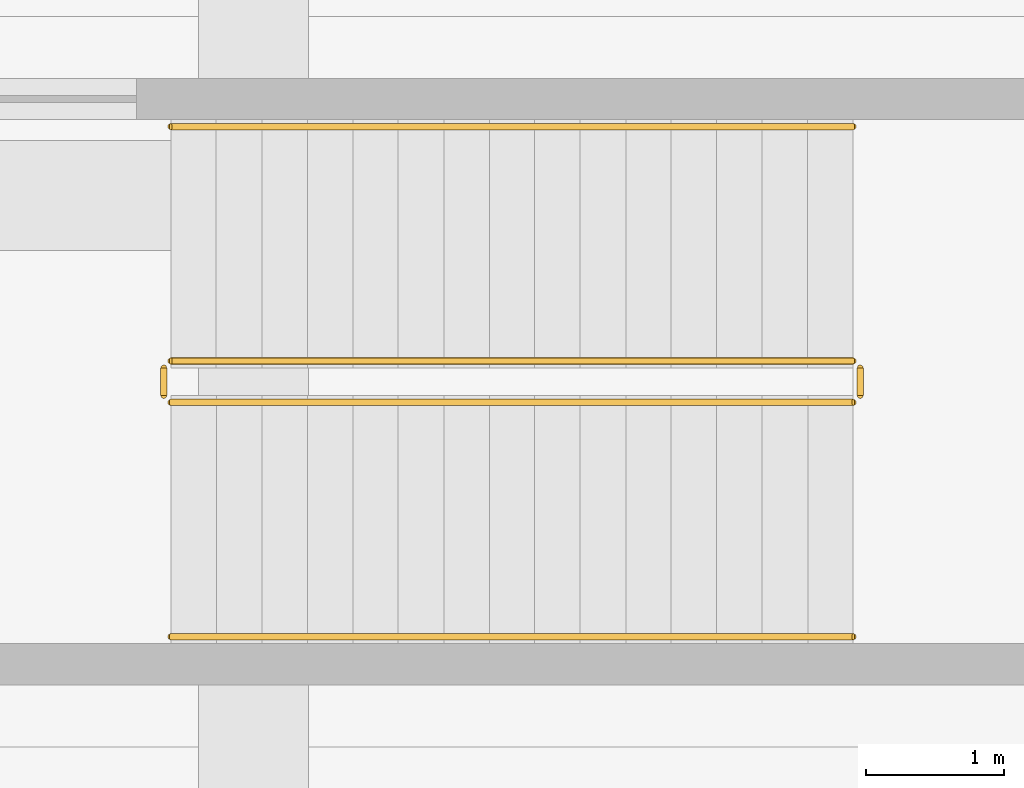
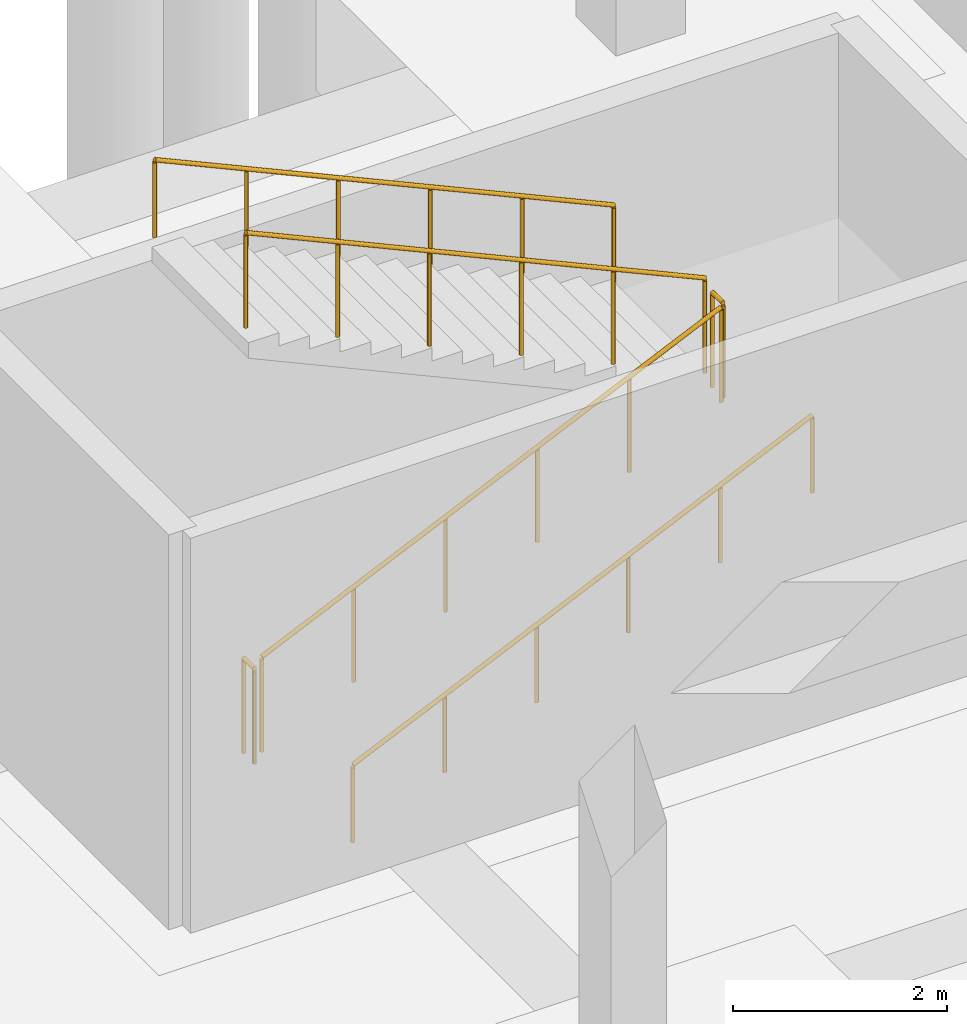
# One storey, part 76 of 80: 6 railings.
"""IFC4 building model written with IfcOpenShell, lengths in metres."""

from ifc_helpers import new_model, si_unit, direction, frame, origin, origin_2d, place, context, subcontext, project, spatial, circle, extrude, material, layer, layer_set, type_object, element, save


model = new_model("IFC4")

# Units and contexts
model_context = context("Model", 3, precision=1e-05, world=origin(), true_north=direction((0.0, 1.0)))
body_context = subcontext(model_context, "Body", "Model", "MODEL_VIEW")
ifc_project = project(units=[si_unit("LENGTHUNIT", "METRE"), si_unit("AREAUNIT", "SQUARE_METRE"), si_unit("VOLUMEUNIT", "CUBIC_METRE"), si_unit("PLANEANGLEUNIT", "RADIAN"), si_unit("MASSUNIT", "GRAM", prefix="KILO")], contexts=[model_context])

# Site, building, storey
site_placement = place(None, origin())
site = spatial("IfcSite", under=ifc_project, at=site_placement, CompositionType="ELEMENT")
building_placement = place(site_placement, origin())
building = spatial("IfcBuilding", under=site, at=building_placement, Name="Malvenik Polytechnic", CompositionType="ELEMENT")
storey_placement = place(building_placement, frame((0.0, 0.0, -4.800048828125)))
storey = spatial("IfcBuildingStorey", under=building, at=storey_placement, Name="B1", CompositionType="ELEMENT", Elevation=-4.800048828125)

# Railings
ifc_material_1 = material(Name="Painted galvanised steel stair well balustrade 1100mm", Category="steel")
ifc_layer_1 = layer(ifc_material_1, 0.050048828125)
ifc_layer_set_1 = layer_set([ifc_layer_1], Name="Painted galvanised steel stair well balustrade 1100mm")
railing_type_1 = type_object("IfcRailingType", Name="ARC-RL-STGD", PredefinedType="BALUSTRADE", material=ifc_layer_set_1)
railing_1_placement = place(storey_placement, frame((75.0, 84.89990234375, 0.150146484375)))
element("IfcRailing", 1, at=railing_1_placement, inside=storey, type_object=railing_type_1, Name="B1 ST-05 stair guard 1", PredefinedType="BALUSTRADE", context=body_context, shape_type="SweptSolid", body=[
    extrude(circle(Radius=0.02392578125, at=origin_2d()), frame((0.0, 0.0, 1.076171875), z_axis=(0.910364939756, 0.0, 0.41380632724), x_axis=(0.0, 1.0, 0.0)), (0.0, 0.0, 1.0), 5.437255859375),
    extrude(circle(Radius=0.02099609375, at=origin_2d()), origin(), (0.0, 0.0, 1.0), 1.052001953125),
    extrude(circle(Radius=0.02099609375, at=origin_2d()), frame((0.989990234375, 0.0, 0.449951171875)), (0.0, 0.0, 1.0), 1.052001953125),
    extrude(circle(Radius=0.02099609375, at=origin_2d()), frame((1.97998046875, 0.0, 0.89990234375)), (0.0, 0.0, 1.0), 1.052001953125),
    extrude(circle(Radius=0.02099609375, at=origin_2d()), frame((2.969970703125, 0.0, 1.35009765625)), (0.0, 0.0, 1.0), 1.052001953125),
    extrude(circle(Radius=0.02099609375, at=origin_2d()), frame((3.9599609375, 0.0, 1.800048828125)), (0.0, 0.0, 1.0), 1.052001953125),
    extrude(circle(Radius=0.02099609375, at=origin_2d()), frame((4.949951171875, 0.0, 2.25)), (0.0, 0.0, 1.0), 1.052001953125),
])
railing_2_placement = place(storey_placement, frame((80.0, 84.949951171875, 2.400146484375)))
element("IfcRailing", 2, at=railing_2_placement, inside=storey, type_object=railing_type_1, Name="B1 ST-05 stair guard 2", PredefinedType="BALUSTRADE", context=body_context, shape_type="SweptSolid", body=[
    extrude(circle(Radius=0.02392578125, at=origin_2d()), frame((0.0, 0.0, 1.076171875), z_axis=(0.0, 1.0, 0.0), x_axis=(-1.0, 0.0, 0.0)), (0.0, 0.0, 1.0), 0.199951171875),
    extrude(circle(Radius=0.02099609375, at=origin_2d()), origin(), (0.0, 0.0, 1.0), 1.052001953125),
    extrude(circle(Radius=0.02099609375, at=origin_2d()), frame((0.0, 0.199951171875, 0.0)), (0.0, 0.0, 1.0), 1.052001953125),
])
railing_3_placement = place(storey_placement, frame((79.949951171875, 85.199951171875, 2.550048828125)))
element("IfcRailing", 3, at=railing_3_placement, inside=storey, type_object=railing_type_1, Name="B1 ST-05 stair guard 3", PredefinedType="BALUSTRADE", context=body_context, shape_type="SweptSolid", body=[
    extrude(circle(Radius=0.02392578125, at=origin_2d()), frame((0.0, 0.0, 1.076171875), z_axis=(-0.910364939756, 0.0, 0.41380632724), x_axis=(0.0, -1.0, 0.0)), (0.0, 0.0, 1.0), 5.437255859375),
    extrude(circle(Radius=0.02099609375, at=origin_2d()), origin(), (0.0, 0.0, 1.0), 1.052001953125),
    extrude(circle(Radius=0.02099609375, at=origin_2d()), frame((-0.989990234375, 0.0, 0.449951171875)), (0.0, 0.0, 1.0), 1.052001953125),
    extrude(circle(Radius=0.02099609375, at=origin_2d()), frame((-1.97998046875, 0.0, 0.89990234375)), (0.0, 0.0, 1.0), 1.052001953125),
    extrude(circle(Radius=0.02099609375, at=origin_2d()), frame((-2.969970703125, 0.0, 1.35009765625)), (0.0, 0.0, 1.0), 1.052001953125),
    extrude(circle(Radius=0.02099609375, at=origin_2d()), frame((-3.9599609375, 0.0, 1.800048828125)), (0.0, 0.0, 1.0), 1.052001953125),
    extrude(circle(Radius=0.02099609375, at=origin_2d()), frame((-4.949951171875, 0.0, 2.25)), (0.0, 0.0, 1.0), 1.052001953125),
])
railing_4_placement = place(storey_placement, frame((74.949951171875, 84.949951171875, 0.0)))
element("IfcRailing", 4, at=railing_4_placement, inside=storey, type_object=railing_type_1, Name="B1 ST-05 stair guard 4", PredefinedType="BALUSTRADE", context=body_context, shape_type="SweptSolid", body=[
    extrude(circle(Radius=0.02392578125, at=origin_2d()), frame((0.0, 0.0, 1.076171875), z_axis=(0.0, 1.0, 0.0), x_axis=(-1.0, 0.0, 0.0)), (0.0, 0.0, 1.0), 0.199951171875),
    extrude(circle(Radius=0.02099609375, at=origin_2d()), origin(), (0.0, 0.0, 1.0), 1.052001953125),
    extrude(circle(Radius=0.02099609375, at=origin_2d()), frame((0.0, 0.199951171875, 0.0)), (0.0, 0.0, 1.0), 1.052001953125),
])
ifc_material_2 = material(Name="Brushed stainless steel 1.4301 stair wall handrail", Category="steel")
ifc_layer_2 = layer(ifc_material_2, 0.044921875)
ifc_layer_set_2 = layer_set([ifc_layer_2], Name="Brushed stainless steel 1.4301 stair wall handrail")
railing_type_2 = type_object("IfcRailingType", Name="ARC-RL-STHR", PredefinedType="HANDRAIL", material=ifc_layer_set_2)
railing_5_placement = place(storey_placement, frame((75.0, 83.199951171875, 0.150146484375)))
element("IfcRailing", 5, at=railing_5_placement, inside=storey, type_object=railing_type_2, Name="B1 ST-05 stair handrail 1", PredefinedType="HANDRAIL", context=body_context, shape_type="SweptSolid", body=[
    extrude(circle(Radius=0.02392578125, at=origin_2d()), frame((0.0, 0.0, 0.8759765625), z_axis=(0.910364939756, 0.0, 0.41380632724), x_axis=(0.0, 1.0, 0.0)), (0.0, 0.0, 1.0), 5.437255859375),
    extrude(circle(Radius=0.02099609375, at=origin_2d()), origin(), (0.0, 0.0, 1.0), 0.851806640625),
    extrude(circle(Radius=0.02099609375, at=origin_2d()), frame((0.989990234375, 0.0, 0.449951171875)), (0.0, 0.0, 1.0), 0.851806640625),
    extrude(circle(Radius=0.02099609375, at=origin_2d()), frame((1.97998046875, 0.0, 0.89990234375)), (0.0, 0.0, 1.0), 0.851806640625),
    extrude(circle(Radius=0.02099609375, at=origin_2d()), frame((2.969970703125, 0.0, 1.35009765625)), (0.0, 0.0, 1.0), 0.851806640625),
    extrude(circle(Radius=0.02099609375, at=origin_2d()), frame((3.9599609375, 0.0, 1.800048828125)), (0.0, 0.0, 1.0), 0.851806640625),
    extrude(circle(Radius=0.02099609375, at=origin_2d()), frame((4.949951171875, 0.0, 2.25)), (0.0, 0.0, 1.0), 0.851806640625),
])
railing_6_placement = place(storey_placement, frame((79.949951171875, 86.89990234375, 2.550048828125)))
element("IfcRailing", 6, at=railing_6_placement, inside=storey, type_object=railing_type_2, Name="B1 ST-05 stair handrail 2", PredefinedType="HANDRAIL", context=body_context, shape_type="SweptSolid", body=[
    extrude(circle(Radius=0.02392578125, at=origin_2d()), frame((0.0, 0.0, 0.8759765625), z_axis=(-0.910364939756, 0.0, 0.41380632724), x_axis=(0.0, -1.0, 0.0)), (0.0, 0.0, 1.0), 5.437255859375),
    extrude(circle(Radius=0.02099609375, at=origin_2d()), origin(), (0.0, 0.0, 1.0), 0.851806640625),
    extrude(circle(Radius=0.02099609375, at=origin_2d()), frame((-0.989990234375, 0.0, 0.449951171875)), (0.0, 0.0, 1.0), 0.851806640625),
    extrude(circle(Radius=0.02099609375, at=origin_2d()), frame((-1.97998046875, 0.0, 0.89990234375)), (0.0, 0.0, 1.0), 0.851806640625),
    extrude(circle(Radius=0.02099609375, at=origin_2d()), frame((-2.969970703125, 0.0, 1.35009765625)), (0.0, 0.0, 1.0), 0.851806640625),
    extrude(circle(Radius=0.02099609375, at=origin_2d()), frame((-3.9599609375, 0.0, 1.800048828125)), (0.0, 0.0, 1.0), 0.851806640625),
    extrude(circle(Radius=0.02099609375, at=origin_2d()), frame((-4.949951171875, 0.0, 2.25)), (0.0, 0.0, 1.0), 0.851806640625),
])

save(model, "model.ifc")
